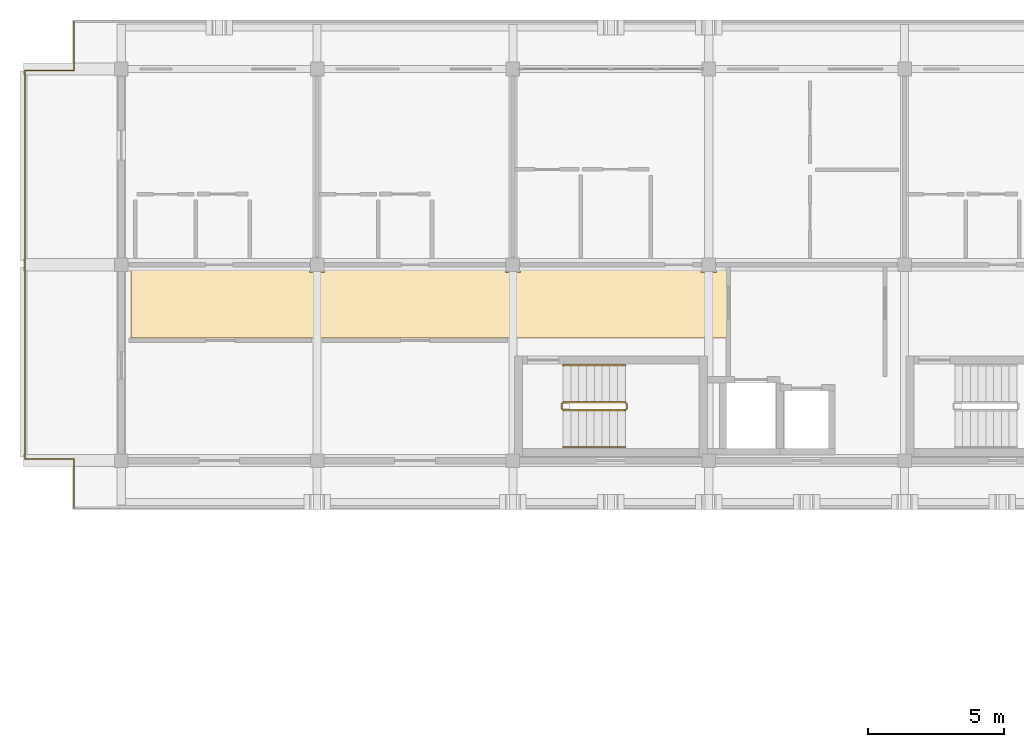
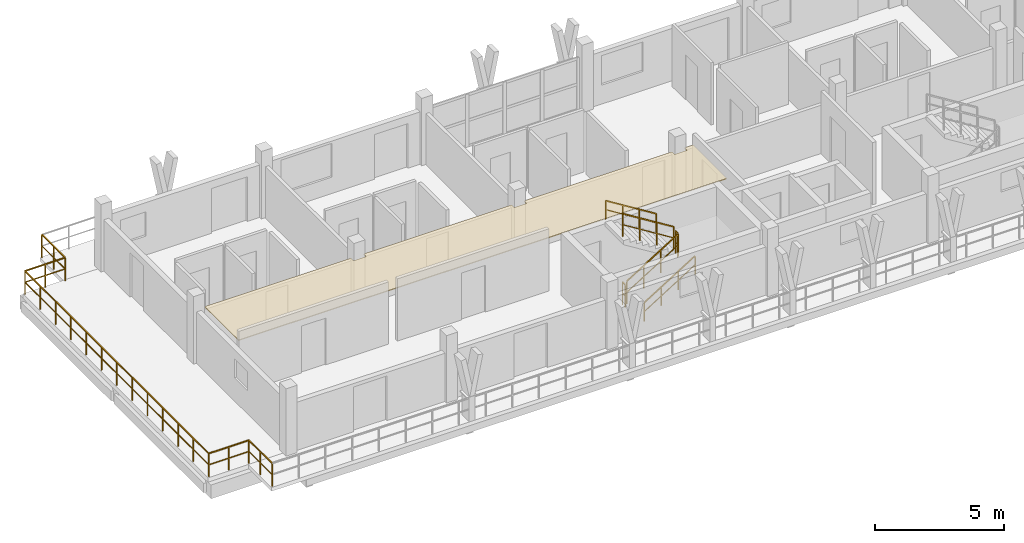
# One storey, part 28 of 32: 11 railings, 1 covering.
"""IFC4 building model written with IfcOpenShell, lengths in metres."""

import ifcopenshell
import ifcopenshell.guid

model = None  # the IFC model being written
_history = None  # IfcOwnerHistory: only IFC2X3 demands one
_inside = {}  # id of a spatial element -> (the spatial element, [elements in it])
_under = {}  # id of a project, library or spatial element -> (it, [spatial elements below it])
_declared = {}  # id of a project -> (the project, [libraries it declares])
_typed = {}  # id of a type object -> (the type object, [elements of that type])
_made_of = {}  # id of a material, layer set ... -> (it, [elements and type objects made of it])


def new_model(schema):
    """Start an empty IFC model of exactly this schema.

    Asked for "IFC4X3", IfcOpenShell would pick the latest addendum, in which some entities
    have other attributes; the version numbers below select the first issue.
    IFC2X3 requires an IfcOwnerHistory on every rooted entity: one is made here for all.
    """
    global model, _history
    if schema == "IFC4X3":
        model = ifcopenshell.file(schema_version=(4, 3, 0, 0))
    else:
        model = ifcopenshell.file(schema=schema)
    _inside.clear()
    _under.clear()
    _declared.clear()
    _typed.clear()
    _made_of.clear()
    _history = None
    if model.schema == "IFC2X3":
        org = make("IfcOrganization", Name="unknown")
        user = make(
            "IfcPersonAndOrganization",
            ThePerson=make("IfcPerson", FamilyName="unknown"),
            TheOrganization=org,
        )
        app = make(
            "IfcApplication",
            ApplicationDeveloper=org,
            Version="unknown",
            ApplicationFullName="unknown",
            ApplicationIdentifier="unknown",
        )
        _history = make(
            "IfcOwnerHistory",
            OwningUser=user,
            OwningApplication=app,
            ChangeAction="ADDED",
            CreationDate=0,
        )
    return model


def make(cls, **values):
    """One entity of the class cls with the attributes given. An attribute that is None is left unset."""
    return model.create_entity(
        cls, **{name: value for name, value in values.items() if value is not None}
    )


def rooted(cls, **values):
    """An entity with a GlobalId (a new one), such as an element, a storey or a relation."""
    return make(cls, GlobalId=ifcopenshell.guid.new(), OwnerHistory=_history, **values)


def si_unit(unit_type, name, prefix=None):
    """IfcSIUnit, for example si_unit("LENGTHUNIT", "METRE", prefix="MILLI")."""
    return make("IfcSIUnit", UnitType=unit_type, Prefix=prefix, Name=name)


def assignment(units):
    """IfcUnitAssignment: the units of a project."""
    return None if units is None else make("IfcUnitAssignment", Units=units)


def point(xyz):
    """IfcCartesianPoint."""
    return None if xyz is None else make("IfcCartesianPoint", Coordinates=xyz)


def direction(xyz):
    """IfcDirection."""
    return None if xyz is None else make("IfcDirection", DirectionRatios=xyz)


def frame(location, z_axis=None, x_axis=None):
    """IfcAxis2Placement3D, a coordinate frame: its origin and axes. An axis left out is left unset."""
    return make(
        "IfcAxis2Placement3D",
        Location=point(location),
        Axis=direction(z_axis),
        RefDirection=direction(x_axis),
    )


def frame_2d(location, x_axis=None):
    """IfcAxis2Placement2D, a coordinate frame in the plane: its origin and x axis."""
    return make(
        "IfcAxis2Placement2D", Location=point(location), RefDirection=direction(x_axis)
    )


def origin():
    """The frame at (0, 0, 0) with its axes left unset."""
    return frame((0.0, 0.0, 0.0))


def origin_2d():
    """The frame at (0, 0) in the plane with its x axis left unset."""
    return frame_2d((0.0, 0.0))


def place(relative_to, where):
    """IfcLocalPlacement: puts the frame where relative to a parent placement (None: the world)."""
    return make(
        "IfcLocalPlacement", PlacementRelTo=relative_to, RelativePlacement=where
    )


def context(
    kind, dimensions, precision=None, world=None, true_north=None, identifier=None
):
    """IfcGeometricRepresentationContext, for example the 3D "Model" context."""
    return make(
        "IfcGeometricRepresentationContext",
        ContextIdentifier=identifier,
        ContextType=kind,
        CoordinateSpaceDimension=dimensions,
        Precision=precision,
        WorldCoordinateSystem=world,
        TrueNorth=true_north,
    )


def subcontext(parent, identifier, kind, view, scale=None):
    """IfcGeometricRepresentationSubContext, for example "Body" below "Model"."""
    return make(
        "IfcGeometricRepresentationSubContext",
        ContextIdentifier=identifier,
        ContextType=kind,
        ParentContext=parent,
        TargetScale=scale,
        TargetView=view,
    )


def project(units=None, contexts=None):
    """IfcProject with its units and contexts."""
    return rooted(
        "IfcProject",
        Name="project",
        RepresentationContexts=contexts,
        UnitsInContext=assignment(units),
    )


def spatial(cls, under=None, at=None, **own):
    """A site, building, storey or space (cls), placed at a placement, below another one or the project."""
    s = rooted(cls, ObjectPlacement=at, **own)
    if under is not None:
        _under.setdefault(under.id(), (under, []))[1].append(s)
    return s


def polyline(points):
    """IfcPolyline through the points."""
    return make("IfcPolyline", Points=[point(p) for p in points])


def profile(cls, at=None, kind="AREA", **sizes):
    """A parametric profile (cls). Its sizes go by their IFC names, for example OverallWidth=200.0."""
    return make(cls, ProfileType=kind, Position=at, **sizes)


def rectangle(**sizes):
    """IfcRectangleProfileDef."""
    return profile("IfcRectangleProfileDef", **sizes)


def outline(outer, holes=None, kind="AREA"):
    """IfcArbitraryClosedProfileDef: a profile drawn as a closed curve; with holes, ...WithVoids."""
    if holes is None:
        return make("IfcArbitraryClosedProfileDef", ProfileType=kind, OuterCurve=outer)
    return make(
        "IfcArbitraryProfileDefWithVoids",
        ProfileType=kind,
        OuterCurve=outer,
        InnerCurves=holes,
    )


def extrude(swept, where, along, depth):
    """IfcExtrudedAreaSolid: the profile swept, set in the frame where, extruded along a direction by depth."""
    return make(
        "IfcExtrudedAreaSolid",
        SweptArea=swept,
        Position=where,
        ExtrudedDirection=direction(along),
        Depth=depth,
    )


def shape(context_of_items, identifier, shape_type, items):
    """IfcShapeRepresentation: the items that make up one representation, for example the "Body"."""
    return make(
        "IfcShapeRepresentation",
        ContextOfItems=context_of_items,
        RepresentationIdentifier=identifier,
        RepresentationType=shape_type,
        Items=items,
    )


def material(Name=None, Category=None):
    """IfcMaterial."""
    return make("IfcMaterial", Name=Name, Category=Category)


def layer(
    of_material, thickness, ventilated=None, Name=None, Category=None, Priority=None
):
    """IfcMaterialLayer: one layer of a wall or slab, of a material (None: an air gap)."""
    return make(
        "IfcMaterialLayer",
        Material=of_material,
        LayerThickness=thickness,
        IsVentilated=ventilated,
        Name=Name,
        Category=Category,
        Priority=Priority,
    )


def layer_set(layers, Name=None):
    """IfcMaterialLayerSet."""
    return make("IfcMaterialLayerSet", MaterialLayers=layers, LayerSetName=Name)


def made_of(thing, what):
    """Note that an element or type object is made of a material, layer set ...; save() writes the relation."""
    if what is not None:
        _made_of.setdefault(what.id(), (what, []))[1].append(thing)
    return thing


def type_object(cls, material=None, **own):
    """A type object (cls), such as IfcWallType, which elements share."""
    return made_of(rooted(cls, **own), material)


def element(
    cls,
    number,
    at=None,
    inside=None,
    cuts=None,
    type_object=None,
    material=None,
    context=None,
    identifier="Body",
    shape_type=None,
    held_by="IfcProductDefinitionShape",
    body=None,
    shapes=None,
    **own,
):
    """One element of the class cls, such as IfcWall. Its Tag is "e" and its number.

    at: its placement. inside: the storey or other place that contains it. cuts: it is an
    opening in that element (IfcRelVoidsElement). A single representation is given by context,
    identifier, shape_type and body (its items); several are given by shapes. held_by: the class
    of the entity that holds the representations. save() writes the other relations.
    """
    e = rooted(cls, Tag="e%d" % number, ObjectPlacement=at, **own)
    if body is not None:
        shapes = [shape(context, identifier, shape_type, body)]
    if shapes is not None:
        e.Representation = make(held_by, Representations=shapes)
    if inside is not None:
        _inside.setdefault(inside.id(), (inside, []))[1].append(e)
    if cuts is not None:
        rooted(
            "IfcRelVoidsElement", RelatingBuildingElement=cuts, RelatedOpeningElement=e
        )
    if type_object is not None:
        _typed.setdefault(type_object.id(), (type_object, []))[1].append(e)
    return made_of(e, material)


def aggregate(whole, parts):
    """IfcRelAggregates: a whole, such as a stair, and the parts it consists of."""
    return rooted("IfcRelAggregates", RelatingObject=whole, RelatedObjects=parts)


def save(model, path):
    """Write the relations noted so far, then the file.

    IfcRelAggregates (storeys below a building ...), IfcRelContainedInSpatialStructure (elements
    in a storey), IfcRelDefinesByType, IfcRelAssociatesMaterial and IfcRelDeclares: one each for
    every whole, place, type object, material and project.
    """
    for whole, parts in _under.values():
        aggregate(whole, parts)
    for where, things in _inside.values():
        rooted(
            "IfcRelContainedInSpatialStructure",
            RelatedElements=things,
            RelatingStructure=where,
        )
    for kind, things in _typed.values():
        rooted("IfcRelDefinesByType", RelatedObjects=things, RelatingType=kind)
    for what, things in _made_of.values():
        rooted("IfcRelAssociatesMaterial", RelatedObjects=things, RelatingMaterial=what)
    for by, libraries in _declared.values():
        rooted("IfcRelDeclares", RelatingContext=by, RelatedDefinitions=libraries)
    model.write(path)


model = new_model("IFC4")

# Units and contexts
model_context = context("Model", 3, precision=1e-05, world=origin(), true_north=direction((0.0, 1.0)))
body_context = subcontext(model_context, "Body", "Model", "MODEL_VIEW")
ifc_project = project(units=[si_unit("LENGTHUNIT", "METRE"), si_unit("AREAUNIT", "SQUARE_METRE"), si_unit("VOLUMEUNIT", "CUBIC_METRE"), si_unit("PLANEANGLEUNIT", "RADIAN"), si_unit("MASSUNIT", "GRAM", prefix="KILO")], contexts=[model_context])

# Site, building, storey
site_placement = place(None, origin())
site = spatial("IfcSite", under=ifc_project, at=site_placement, CompositionType="ELEMENT")
building_placement = place(site_placement, origin())
building = spatial("IfcBuilding", under=site, at=building_placement, Name="Suanplinth Sawtooth Commons", CompositionType="ELEMENT")
storey_placement = place(building_placement, frame((0.0, 0.0, 41.199951171875)))
storey = spatial("IfcBuildingStorey", under=building, at=storey_placement, Name="L12", CompositionType="ELEMENT", Elevation=41.199951171875)

# Covering
ifc_material_1 = material(Name="Mineral fibre acoustic tile")
ifc_layer = layer(ifc_material_1, 0.0400390625, Name="Perforated mineral-fibre acoustic suspended ceiling")
ifc_layer_set = layer_set([ifc_layer], Name="Mineral fibre acoustic tile")
covering_type = type_object("IfcCoveringType", Name="CV-CE01", PredefinedType="CEILING", material=ifc_layer_set)
covering_placement = place(storey_placement, frame((0.0, 0.0, 2.380126953125)))
element("IfcCovering", 1, at=covering_placement, inside=storey, type_object=covering_type, Name="L12 Block A Corridor Acoustic Ceiling", PredefinedType="CEILING", context=body_context, shape_type="SweptSolid", body=[
    extrude(outline(polyline([(29.159912109375, 112.5), (29.159912109375, 115.1201171875), (35.719970703125, 115.1201171875), (35.719970703125, 114.919921875), (36.280029296875, 114.919921875), (36.280029296875, 115.1201171875), (42.919921875, 115.1201171875), (42.919921875, 114.919921875), (43.47998046875, 114.919921875), (43.47998046875, 115.1201171875), (50.1201171875, 115.1201171875), (50.1201171875, 114.919921875), (50.679931640625, 114.919921875), (50.679931640625, 115.1201171875), (51.080078125, 115.1201171875), (51.080078125, 112.5), (29.159912109375, 112.5)])), origin(), (0.0, 0.0, 1.0), 0.0400390625),
])

# Railings
ifc_material_2 = material(Name="Powder-coated galvanized steel", Category="steel")
railing_type_1 = type_object("IfcRailingType", Name="GR-01", PredefinedType="BALUSTRADE", material=ifc_material_2)
railing_1_placement = place(storey_placement, frame((27.06005859375, 108.06005859375, 0.0)))
element("IfcRailing", 2, at=railing_1_placement, inside=storey, type_object=railing_type_1, Name="L12 Block A Perimeter Balustrade 1", PredefinedType="BALUSTRADE", context=body_context, shape_type="SweptSolid", body=[
    extrude(rectangle(XDim=0.048095703125, YDim=0.048095703125, at=origin_2d()), frame((0.0, 0.0, 1.09619140625), z_axis=(-1.0, 0.0, 0.0), x_axis=(0.0, -1.0, 0.0)), (0.0, 0.0, 1.0), 1.800048828125),
    extrude(rectangle(XDim=0.03369140625, YDim=0.03369140625, at=origin_2d()), frame((0.0, 0.0, 0.56005859375), z_axis=(-1.0, 0.0, 0.0), x_axis=(0.0, -1.0, 0.0)), (0.0, 0.0, 1.0), 1.800048828125),
    extrude(rectangle(XDim=0.0419921875, YDim=0.0419921875, at=origin_2d()), origin(), (0.0, 0.0, 1.0), 1.072021484375),
    extrude(rectangle(XDim=0.0419921875, YDim=0.0419921875, at=origin_2d()), frame((-0.89990234375, 0.0, 0.0)), (0.0, 0.0, 1.0), 1.072021484375),
    extrude(rectangle(XDim=0.0419921875, YDim=0.0419921875, at=origin_2d()), frame((-1.800048828125, 0.0, 0.0)), (0.0, 0.0, 1.0), 1.072021484375),
])
railing_2_placement = place(storey_placement, frame((25.260009765625, 108.06005859375, 0.0)))
element("IfcRailing", 3, at=railing_2_placement, inside=storey, type_object=railing_type_1, Name="L12 Block A Perimeter Balustrade 2", PredefinedType="BALUSTRADE", context=body_context, shape_type="SweptSolid", body=[
    extrude(rectangle(XDim=0.048095703125, YDim=0.048095703125, at=origin_2d()), frame((0.0, 0.0, 1.09619140625), z_axis=(0.0, 1.0, 0.0), x_axis=(-1.0, 0.0, 0.0)), (0.0, 0.0, 1.0), 14.280029296875),
    extrude(rectangle(XDim=0.03369140625, YDim=0.03369140625, at=origin_2d()), frame((0.0, 0.0, 0.56005859375), z_axis=(0.0, 1.0, 0.0), x_axis=(-1.0, 0.0, 0.0)), (0.0, 0.0, 1.0), 14.280029296875),
    extrude(rectangle(XDim=0.0419921875, YDim=0.0419921875, at=origin_2d()), origin(), (0.0, 0.0, 1.0), 1.072021484375),
    extrude(rectangle(XDim=0.0419921875, YDim=0.0419921875, at=origin_2d()), frame((0.0, 1.18994140625, 0.0)), (0.0, 0.0, 1.0), 1.072021484375),
    extrude(rectangle(XDim=0.0419921875, YDim=0.0419921875, at=origin_2d()), frame((0.0, 2.3798828125, 0.0)), (0.0, 0.0, 1.0), 1.072021484375),
    extrude(rectangle(XDim=0.0419921875, YDim=0.0419921875, at=origin_2d()), frame((0.0, 3.570068359375, 0.0)), (0.0, 0.0, 1.0), 1.072021484375),
    extrude(rectangle(XDim=0.0419921875, YDim=0.0419921875, at=origin_2d()), frame((0.0, 4.760009765625, 0.0)), (0.0, 0.0, 1.0), 1.072021484375),
    extrude(rectangle(XDim=0.0419921875, YDim=0.0419921875, at=origin_2d()), frame((0.0, 5.949951171875, 0.0)), (0.0, 0.0, 1.0), 1.072021484375),
    extrude(rectangle(XDim=0.0419921875, YDim=0.0419921875, at=origin_2d()), frame((0.0, 7.14013671875, 0.0)), (0.0, 0.0, 1.0), 1.072021484375),
    extrude(rectangle(XDim=0.0419921875, YDim=0.0419921875, at=origin_2d()), frame((0.0, 8.330078125, 0.0)), (0.0, 0.0, 1.0), 1.072021484375),
    extrude(rectangle(XDim=0.0419921875, YDim=0.0419921875, at=origin_2d()), frame((0.0, 9.52001953125, 0.0)), (0.0, 0.0, 1.0), 1.072021484375),
    extrude(rectangle(XDim=0.0419921875, YDim=0.0419921875, at=origin_2d()), frame((0.0, 10.7099609375, 0.0)), (0.0, 0.0, 1.0), 1.072021484375),
    extrude(rectangle(XDim=0.0419921875, YDim=0.0419921875, at=origin_2d()), frame((0.0, 11.89990234375, 0.0)), (0.0, 0.0, 1.0), 1.072021484375),
    extrude(rectangle(XDim=0.0419921875, YDim=0.0419921875, at=origin_2d()), frame((0.0, 13.090087890625, 0.0)), (0.0, 0.0, 1.0), 1.072021484375),
    extrude(rectangle(XDim=0.0419921875, YDim=0.0419921875, at=origin_2d()), frame((0.0, 14.280029296875, 0.0)), (0.0, 0.0, 1.0), 1.072021484375),
])
railing_3_placement = place(storey_placement, frame((25.260009765625, 122.340087890625, 0.0)))
element("IfcRailing", 4, at=railing_3_placement, inside=storey, type_object=railing_type_1, Name="L12 Block A Perimeter Balustrade 3", PredefinedType="BALUSTRADE", context=body_context, shape_type="SweptSolid", body=[
    extrude(rectangle(XDim=0.048095703125, YDim=0.048095703125, at=origin_2d()), frame((0.0, 0.0, 1.09619140625), z_axis=(1.0, 0.0, 0.0), x_axis=(0.0, 1.0, 0.0)), (0.0, 0.0, 1.0), 1.800048828125),
    extrude(rectangle(XDim=0.03369140625, YDim=0.03369140625, at=origin_2d()), frame((0.0, 0.0, 0.56005859375), z_axis=(1.0, 0.0, 0.0), x_axis=(0.0, 1.0, 0.0)), (0.0, 0.0, 1.0), 1.800048828125),
    extrude(rectangle(XDim=0.0419921875, YDim=0.0419921875, at=origin_2d()), origin(), (0.0, 0.0, 1.0), 1.072021484375),
    extrude(rectangle(XDim=0.0419921875, YDim=0.0419921875, at=origin_2d()), frame((0.89990234375, 0.0, 0.0)), (0.0, 0.0, 1.0), 1.072021484375),
    extrude(rectangle(XDim=0.0419921875, YDim=0.0419921875, at=origin_2d()), frame((1.800048828125, 0.0, 0.0)), (0.0, 0.0, 1.0), 1.072021484375),
])
railing_4_placement = place(storey_placement, frame((27.06005859375, 122.340087890625, 0.0)))
element("IfcRailing", 5, at=railing_4_placement, inside=storey, type_object=railing_type_1, Name="L12 Block A Perimeter Balustrade 4", PredefinedType="BALUSTRADE", context=body_context, shape_type="SweptSolid", body=[
    extrude(rectangle(XDim=0.048095703125, YDim=0.048095703125, at=origin_2d()), frame((0.0, 0.0, 1.09619140625), z_axis=(0.0, 1.0, 0.0), x_axis=(-1.0, 0.0, 0.0)), (0.0, 0.0, 1.0), 1.7998046875),
    extrude(rectangle(XDim=0.03369140625, YDim=0.03369140625, at=origin_2d()), frame((0.0, 0.0, 0.56005859375), z_axis=(0.0, 1.0, 0.0), x_axis=(-1.0, 0.0, 0.0)), (0.0, 0.0, 1.0), 1.7998046875),
    extrude(rectangle(XDim=0.0419921875, YDim=0.0419921875, at=origin_2d()), origin(), (0.0, 0.0, 1.0), 1.072021484375),
    extrude(rectangle(XDim=0.0419921875, YDim=0.0419921875, at=origin_2d()), frame((0.0, 0.89990234375, 0.0)), (0.0, 0.0, 1.0), 1.072021484375),
    extrude(rectangle(XDim=0.0419921875, YDim=0.0419921875, at=origin_2d()), frame((0.0, 1.7998046875, 0.0)), (0.0, 0.0, 1.0), 1.072021484375),
])
railing_5_placement = place(storey_placement, frame((27.06005859375, 106.260009765625, 0.0)))
element("IfcRailing", 6, at=railing_5_placement, inside=storey, type_object=railing_type_1, Name="L12 Block A Perimeter Balustrade 12", PredefinedType="BALUSTRADE", context=body_context, shape_type="SweptSolid", body=[
    extrude(rectangle(XDim=0.048095703125, YDim=0.048095703125, at=origin_2d()), frame((0.0, 0.0, 1.09619140625), z_axis=(0.0, 1.0, 0.0), x_axis=(-1.0, 0.0, 0.0)), (0.0, 0.0, 1.0), 1.800048828125),
    extrude(rectangle(XDim=0.03369140625, YDim=0.03369140625, at=origin_2d()), frame((0.0, 0.0, 0.56005859375), z_axis=(0.0, 1.0, 0.0), x_axis=(-1.0, 0.0, 0.0)), (0.0, 0.0, 1.0), 1.800048828125),
    extrude(rectangle(XDim=0.0419921875, YDim=0.0419921875, at=origin_2d()), origin(), (0.0, 0.0, 1.0), 1.072021484375),
    extrude(rectangle(XDim=0.0419921875, YDim=0.0419921875, at=origin_2d()), frame((0.0, 0.89990234375, 0.0)), (0.0, 0.0, 1.0), 1.072021484375),
    extrude(rectangle(XDim=0.0419921875, YDim=0.0419921875, at=origin_2d()), frame((0.0, 1.800048828125, 0.0)), (0.0, 0.0, 1.0), 1.072021484375),
])
ifc_material_3 = material(Name="Stainless steel Grade 304", Category="steel")
railing_type_2 = type_object("IfcRailingType", Name="GR-04", PredefinedType="GUARDRAIL", material=ifc_material_3)
railing_6_placement = place(storey_placement, frame((45.050048828125, 109.85009765625, 0.177734375)))
element("IfcRailing", 7, at=railing_6_placement, inside=storey, type_object=railing_type_2, Name="L12 ST-N1 Guard 1", PredefinedType="GUARDRAIL", context=body_context, shape_type="SweptSolid", body=[
    extrude(rectangle(XDim=0.048095703125, YDim=0.048095703125, at=origin_2d()), frame((0.0, 0.0, 1.076171875), z_axis=(0.848442045328, 0.0, 0.529288291689), x_axis=(0.0, 1.0, 0.0)), (0.0, 0.0, 1.0), 2.687255859375),
    extrude(rectangle(XDim=0.03369140625, YDim=0.03369140625, at=origin_2d()), frame((0.0, 0.0, 0.550048828125), z_axis=(0.848442045328, 0.0, 0.529288291689), x_axis=(0.0, 1.0, 0.0)), (0.0, 0.0, 1.0), 2.687255859375),
    extrude(rectangle(XDim=0.0419921875, YDim=0.0419921875, at=origin_2d()), origin(), (0.0, 0.0, 1.0), 1.052001953125),
    extrude(rectangle(XDim=0.0419921875, YDim=0.0419921875, at=origin_2d()), frame((0.760009765625, 0.0, 0.47412109375)), (0.0, 0.0, 1.0), 1.052001953125),
    extrude(rectangle(XDim=0.0419921875, YDim=0.0419921875, at=origin_2d()), frame((1.52001953125, 0.0, 0.9482421875)), (0.0, 0.0, 1.0), 1.052001953125),
    extrude(rectangle(XDim=0.0419921875, YDim=0.0419921875, at=origin_2d()), frame((2.280029296875, 0.0, 1.42236328125)), (0.0, 0.0, 1.0), 1.052001953125),
])
railing_7_placement = place(storey_placement, frame((47.3798828125, 109.89990234375, 1.60009765625)))
element("IfcRailing", 8, at=railing_7_placement, inside=storey, type_object=railing_type_2, Name="L12 ST-N1 Guard 2", PredefinedType="GUARDRAIL", context=body_context, shape_type="SweptSolid", body=[
    extrude(rectangle(XDim=0.048095703125, YDim=0.048095703125, at=origin_2d()), frame((0.0, 0.0, 1.076171875), z_axis=(0.0, 1.0, 0.0), x_axis=(-1.0, 0.0, 0.0)), (0.0, 0.0, 1.0), 0.2001953125),
    extrude(rectangle(XDim=0.03369140625, YDim=0.03369140625, at=origin_2d()), frame((0.0, 0.0, 0.550048828125), z_axis=(0.0, 1.0, 0.0), x_axis=(-1.0, 0.0, 0.0)), (0.0, 0.0, 1.0), 0.2001953125),
    extrude(rectangle(XDim=0.0419921875, YDim=0.0419921875, at=origin_2d()), origin(), (0.0, 0.0, 1.0), 1.052001953125),
    extrude(rectangle(XDim=0.0419921875, YDim=0.0419921875, at=origin_2d()), frame((0.0, 0.2001953125, 0.0)), (0.0, 0.0, 1.0), 1.052001953125),
])
railing_8_placement = place(storey_placement, frame((47.330078125, 110.14990234375, 1.77783203125)))
element("IfcRailing", 9, at=railing_8_placement, inside=storey, type_object=railing_type_2, Name="L12 ST-N1 Guard 3", PredefinedType="GUARDRAIL", context=body_context, shape_type="SweptSolid", body=[
    extrude(rectangle(XDim=0.048095703125, YDim=0.048095703125, at=origin_2d()), frame((0.0, 0.0, 1.076171875), z_axis=(-0.848482842525, 0.0, 0.529222888715), x_axis=(0.0, -1.0, 0.0)), (0.0, 0.0, 1.0), 2.687255859375),
    extrude(rectangle(XDim=0.03369140625, YDim=0.03369140625, at=origin_2d()), frame((0.0, 0.0, 0.550048828125), z_axis=(-0.848482842525, 0.0, 0.529222888715), x_axis=(0.0, -1.0, 0.0)), (0.0, 0.0, 1.0), 2.687255859375),
    extrude(rectangle(XDim=0.0419921875, YDim=0.0419921875, at=origin_2d()), origin(), (0.0, 0.0, 1.0), 1.052001953125),
    extrude(rectangle(XDim=0.0419921875, YDim=0.0419921875, at=origin_2d()), frame((-0.760009765625, 0.0, 0.47412109375)), (0.0, 0.0, 1.0), 1.052001953125),
    extrude(rectangle(XDim=0.0419921875, YDim=0.0419921875, at=origin_2d()), frame((-1.52001953125, 0.0, 0.947998046875)), (0.0, 0.0, 1.0), 1.052001953125),
    extrude(rectangle(XDim=0.0419921875, YDim=0.0419921875, at=origin_2d()), frame((-2.280029296875, 0.0, 1.422119140625)), (0.0, 0.0, 1.0), 1.052001953125),
])
railing_9_placement = place(storey_placement, frame((45.0, 109.89990234375, 0.0)))
element("IfcRailing", 10, at=railing_9_placement, inside=storey, type_object=railing_type_2, Name="L12 ST-N1 Guard 4", PredefinedType="GUARDRAIL", context=body_context, shape_type="SweptSolid", body=[
    extrude(rectangle(XDim=0.048095703125, YDim=0.048095703125, at=origin_2d()), frame((0.0, 0.0, 1.076171875), z_axis=(0.0, 1.0, 0.0), x_axis=(-1.0, 0.0, 0.0)), (0.0, 0.0, 1.0), 0.2001953125),
    extrude(rectangle(XDim=0.03369140625, YDim=0.03369140625, at=origin_2d()), frame((0.0, 0.0, 0.550048828125), z_axis=(0.0, 1.0, 0.0), x_axis=(-1.0, 0.0, 0.0)), (0.0, 0.0, 1.0), 0.2001953125),
    extrude(rectangle(XDim=0.0419921875, YDim=0.0419921875, at=origin_2d()), origin(), (0.0, 0.0, 1.0), 1.052001953125),
    extrude(rectangle(XDim=0.0419921875, YDim=0.0419921875, at=origin_2d()), frame((0.0, 0.2001953125, 0.0)), (0.0, 0.0, 1.0), 1.052001953125),
])
railing_type_3 = type_object("IfcRailingType", Name="HR-01", PredefinedType="HANDRAIL", material=ifc_material_3)
railing_10_placement = place(storey_placement, frame((45.050048828125, 108.5, 0.177734375)))
element("IfcRailing", 11, at=railing_10_placement, inside=storey, type_object=railing_type_3, Name="L12 ST-N1 Handrail 1", PredefinedType="HANDRAIL", context=body_context, shape_type="SweptSolid", body=[
    extrude(rectangle(XDim=0.048095703125, YDim=0.048095703125, at=origin_2d()), frame((0.0, 0.0, 0.8759765625), z_axis=(0.848442045328, 0.0, 0.529288291689), x_axis=(0.0, 1.0, 0.0)), (0.0, 0.0, 1.0), 2.687255859375),
    extrude(rectangle(XDim=0.03369140625, YDim=0.03369140625, at=origin_2d()), frame((0.0, 0.0, 0.449951171875), z_axis=(0.848442045328, 0.0, 0.529288291689), x_axis=(0.0, 1.0, 0.0)), (0.0, 0.0, 1.0), 2.687255859375),
    extrude(rectangle(XDim=0.0419921875, YDim=0.0419921875, at=origin_2d()), origin(), (0.0, 0.0, 1.0), 0.851806640625),
    extrude(rectangle(XDim=0.0419921875, YDim=0.0419921875, at=origin_2d()), frame((0.760009765625, 0.0, 0.47412109375)), (0.0, 0.0, 1.0), 0.851806640625),
    extrude(rectangle(XDim=0.0419921875, YDim=0.0419921875, at=origin_2d()), frame((1.52001953125, 0.0, 0.9482421875)), (0.0, 0.0, 1.0), 0.851806640625),
    extrude(rectangle(XDim=0.0419921875, YDim=0.0419921875, at=origin_2d()), frame((2.280029296875, 0.0, 1.42236328125)), (0.0, 0.0, 1.0), 0.851806640625),
])
railing_11_placement = place(storey_placement, frame((47.330078125, 111.5, 1.77783203125)))
element("IfcRailing", 12, at=railing_11_placement, inside=storey, type_object=railing_type_3, Name="L12 ST-N1 Handrail 2", PredefinedType="HANDRAIL", context=body_context, shape_type="SweptSolid", body=[
    extrude(rectangle(XDim=0.048095703125, YDim=0.048095703125, at=origin_2d()), frame((0.0, 0.0, 0.8759765625), z_axis=(-0.848482842525, 0.0, 0.529222888715), x_axis=(0.0, -1.0, 0.0)), (0.0, 0.0, 1.0), 2.687255859375),
    extrude(rectangle(XDim=0.03369140625, YDim=0.03369140625, at=origin_2d()), frame((0.0, 0.0, 0.449951171875), z_axis=(-0.848482842525, 0.0, 0.529222888715), x_axis=(0.0, -1.0, 0.0)), (0.0, 0.0, 1.0), 2.687255859375),
    extrude(rectangle(XDim=0.0419921875, YDim=0.0419921875, at=origin_2d()), origin(), (0.0, 0.0, 1.0), 0.851806640625),
    extrude(rectangle(XDim=0.0419921875, YDim=0.0419921875, at=origin_2d()), frame((-0.760009765625, 0.0, 0.47412109375)), (0.0, 0.0, 1.0), 0.851806640625),
    extrude(rectangle(XDim=0.0419921875, YDim=0.0419921875, at=origin_2d()), frame((-1.52001953125, 0.0, 0.947998046875)), (0.0, 0.0, 1.0), 0.851806640625),
    extrude(rectangle(XDim=0.0419921875, YDim=0.0419921875, at=origin_2d()), frame((-2.280029296875, 0.0, 1.422119140625)), (0.0, 0.0, 1.0), 0.851806640625),
])

save(model, "model.ifc")
